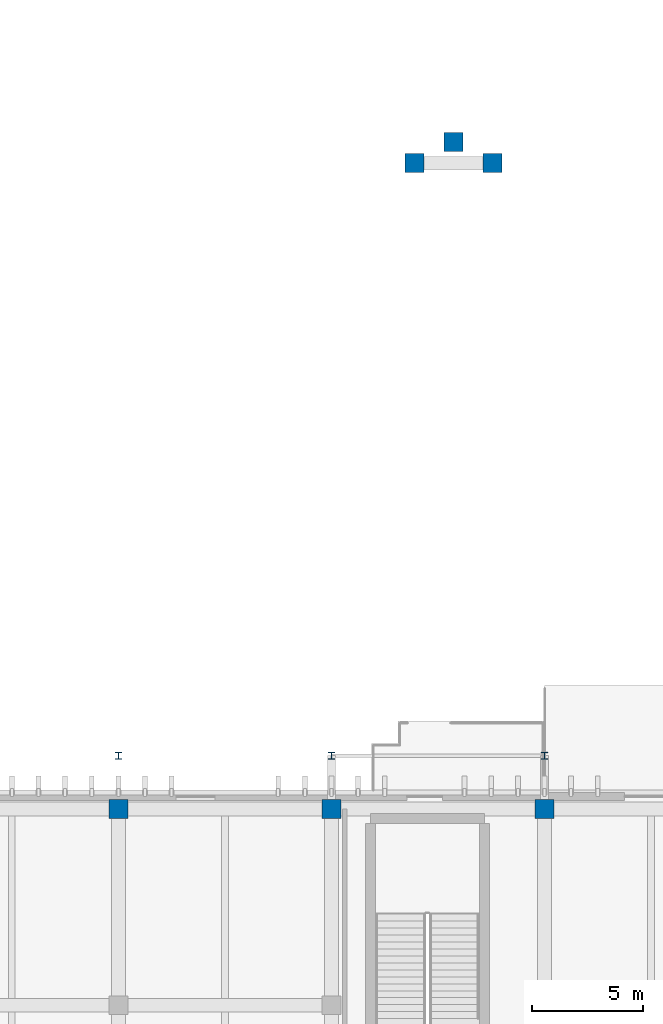
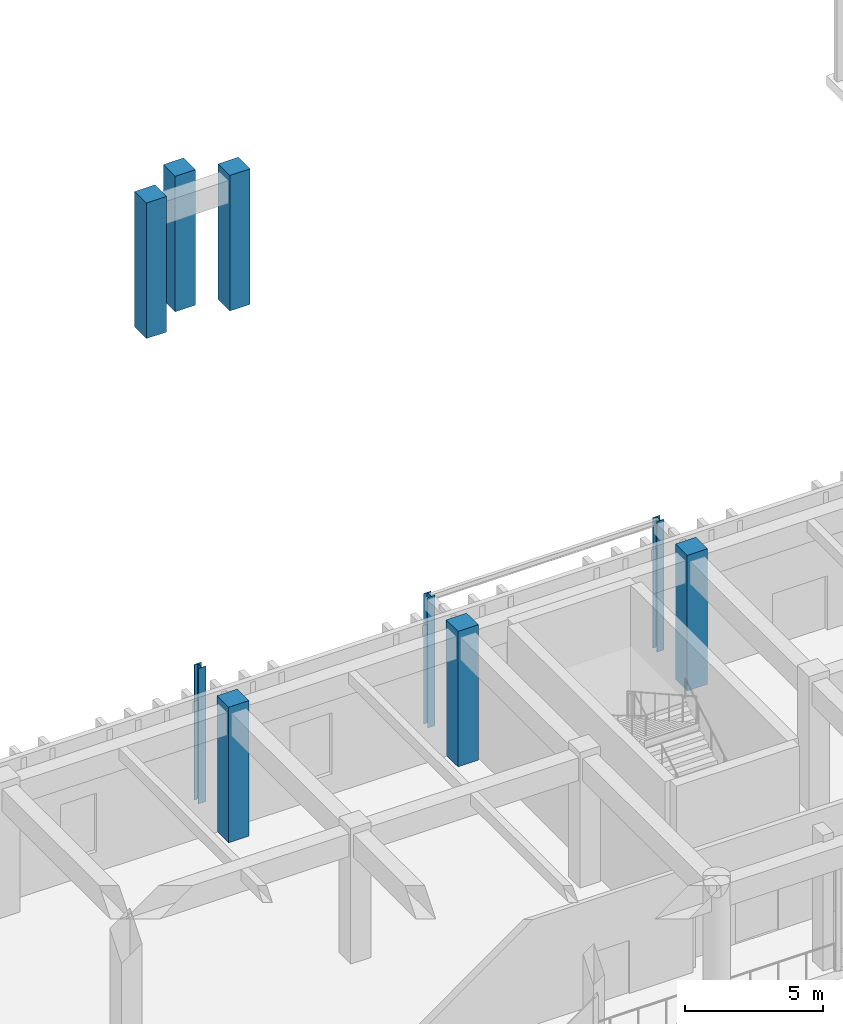
# One storey, part 6 of 87: 9 columns.
"""IFC4 building model written with IfcOpenShell, lengths in metres."""

from ifc_helpers import new_model, si_unit, direction, frame, origin, origin_2d, place, context, subcontext, project, spatial, rectangle, i_section, extrude, material, material_profile, profile_set, type_object, element, save


model = new_model("IFC4")

# Units and contexts
model_context = context("Model", 3, precision=1e-05, world=origin(), true_north=direction((0.0, 1.0)))
body_context = subcontext(model_context, "Body", "Model", "MODEL_VIEW")
ifc_project = project(units=[si_unit("LENGTHUNIT", "METRE"), si_unit("AREAUNIT", "SQUARE_METRE"), si_unit("VOLUMEUNIT", "CUBIC_METRE"), si_unit("PLANEANGLEUNIT", "RADIAN"), si_unit("MASSUNIT", "GRAM", prefix="KILO")], contexts=[model_context])

# Site, building, storey
site_placement = place(None, origin())
site = spatial("IfcSite", under=ifc_project, at=site_placement, CompositionType="ELEMENT")
building_placement = place(site_placement, origin())
building = spatial("IfcBuilding", under=site, at=building_placement, Name="Nakhvara Creek Congress Hotel", CompositionType="ELEMENT")
storey_placement = place(building_placement, origin())
storey = spatial("IfcBuildingStorey", under=building, at=storey_placement, Name="L00", CompositionType="ELEMENT", Elevation=0.0)

# Columns
ifc_material_1 = material(Name="Concrete C50/60", Category="concrete")
ifc_material_profile_1 = material_profile(ifc_material_1, rectangle(XDim=0.85009765625, YDim=0.85009765625, at=origin_2d()), Name="RC-COL 850x850", Category="LoadBearing")
ifc_profile_set_1 = profile_set([ifc_material_profile_1], Name="Concrete C50/60")
column_type_1 = type_object("IfcColumnType", Name="COL-RC-850", PredefinedType="COLUMN", material=ifc_profile_set_1)
for number, where, z_axis, x_axis, name in (
    (1, (105.60009765625, 95.25, 0.0), (0.0, 0.0, 1.0), (1.0, 0.0, 0.0), "Column C18-L00-0696"),
    (2, (115.199951171875, 95.25, 0.0), (0.0, 0.0, 1.0), (1.0, 0.0, 0.0), "Column C18-L00-0705"),
    (3, (124.800048828125, 95.25, 0.0), (0.0, 0.0, 1.0), (1.0, 0.0, 0.0), "Column C18-L00-0717"),
    (4, (118.949951171875, 124.35009765625, 0.0), (0.0, 0.0, 1.0), (1.0, 0.0, 0.0), "Column C18-L00-0815"),
    (5, (122.449951171875, 124.35009765625, 0.0), (0.0, 0.0, 1.0), (1.0, 0.0, 0.0), "Column C18-L00-0816"),
    (6, (120.699951171875, 125.300048828125, 0.0), (0.0, 0.0, 1.0), (1.0, 0.0, 0.0), "Column C18-L00-0817"),
):
    element("IfcColumn", number, at=place(storey_placement, frame(where, z_axis=z_axis, x_axis=x_axis)), inside=storey, type_object=column_type_1, Name=name, PredefinedType="COLUMN", context=body_context, shape_type="SweptSolid", body=[
        extrude(rectangle(XDim=0.85009765625, YDim=0.85009765625, at=origin_2d()), origin(), (0.0, 0.0, 1.0), 6.0),
    ])
ifc_material_2 = material(Name="Steel S355J2", Category="steel")
ifc_material_profile_2 = material_profile(ifc_material_2, i_section(OverallWidth=0.307373046875, OverallDepth=0.314453125, WebThickness=0.011962890625, FlangeThickness=0.018798828125, FilletRadius=0.01513671875, at=origin_2d()), Name="UC 305x305x118", Category="LoadBearing")
ifc_profile_set_2 = profile_set([ifc_material_profile_2], Name="Steel S355J2")
column_type_2 = type_object("IfcColumnType", Name="COL-ST-UC305", PredefinedType="COLUMN", material=ifc_profile_set_2)
for number, where, z_axis, x_axis, name in (
    (7, (115.199951171875, 97.64990234375, 0.0), (0.0, 0.0, 1.0), (1.0, 0.0, 0.0), "Column CS2-L00-0742"),
    (8, (124.800048828125, 97.64990234375, 0.0), (0.0, 0.0, 1.0), (1.0, 0.0, 0.0), "Column CS2-L00-0743"),
):
    element("IfcColumn", number, at=place(storey_placement, frame(where, z_axis=z_axis, x_axis=x_axis)), inside=storey, type_object=column_type_2, Name=name, PredefinedType="COLUMN", context=body_context, shape_type="SweptSolid", body=[
        extrude(i_section(OverallWidth=0.307373046875, OverallDepth=0.314453125, WebThickness=0.011962890625, FlangeThickness=0.018798828125, FilletRadius=0.01513671875, at=origin_2d()), origin(), (0.0, 0.0, 1.0), 5.780029296875),
    ])
column_placement = place(storey_placement, frame((105.60009765625, 97.64990234375, 0.0), z_axis=(0.0, 0.0, 1.0), x_axis=(1.0, 0.0, 0.0)))
element("IfcColumn", 9, at=column_placement, inside=storey, type_object=column_type_2, Name="Column CS2-L00-0753", PredefinedType="COLUMN", context=body_context, shape_type="SweptSolid", body=[
    extrude(i_section(OverallWidth=0.307373046875, OverallDepth=0.314453125, WebThickness=0.011962890625, FlangeThickness=0.018798828125, FilletRadius=0.01513671875, at=origin_2d()), origin(), (0.0, 0.0, 1.0), 6.0),
])

save(model, "model.ifc")
